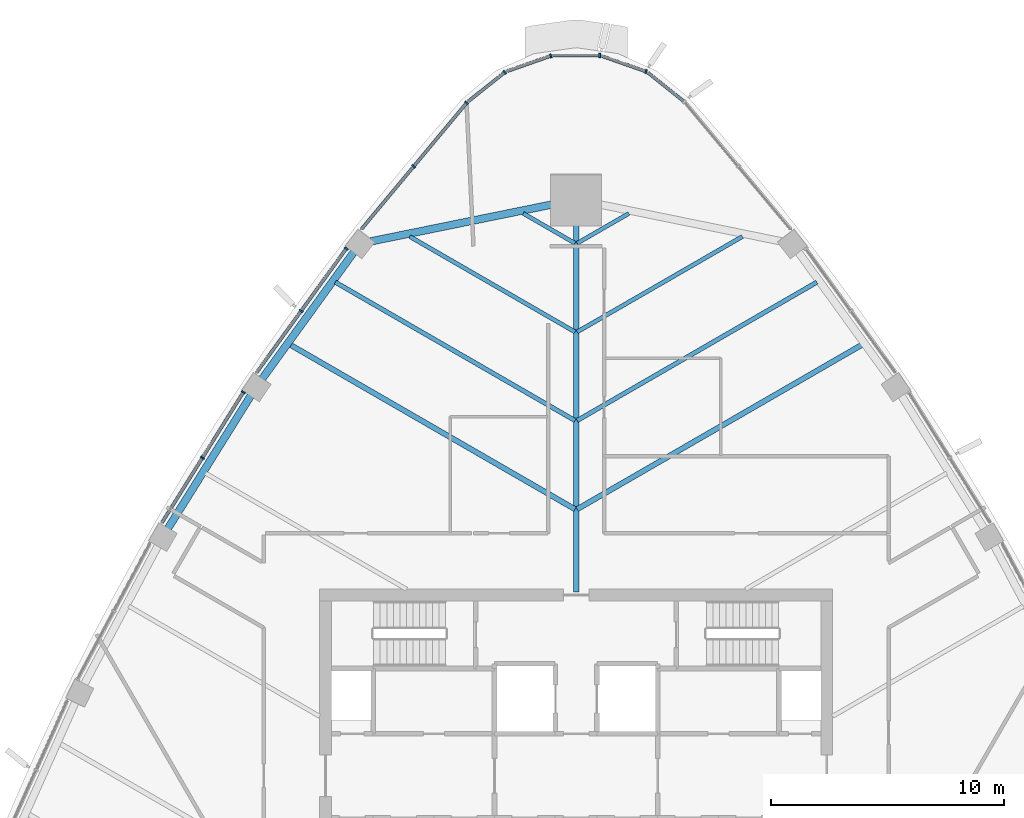
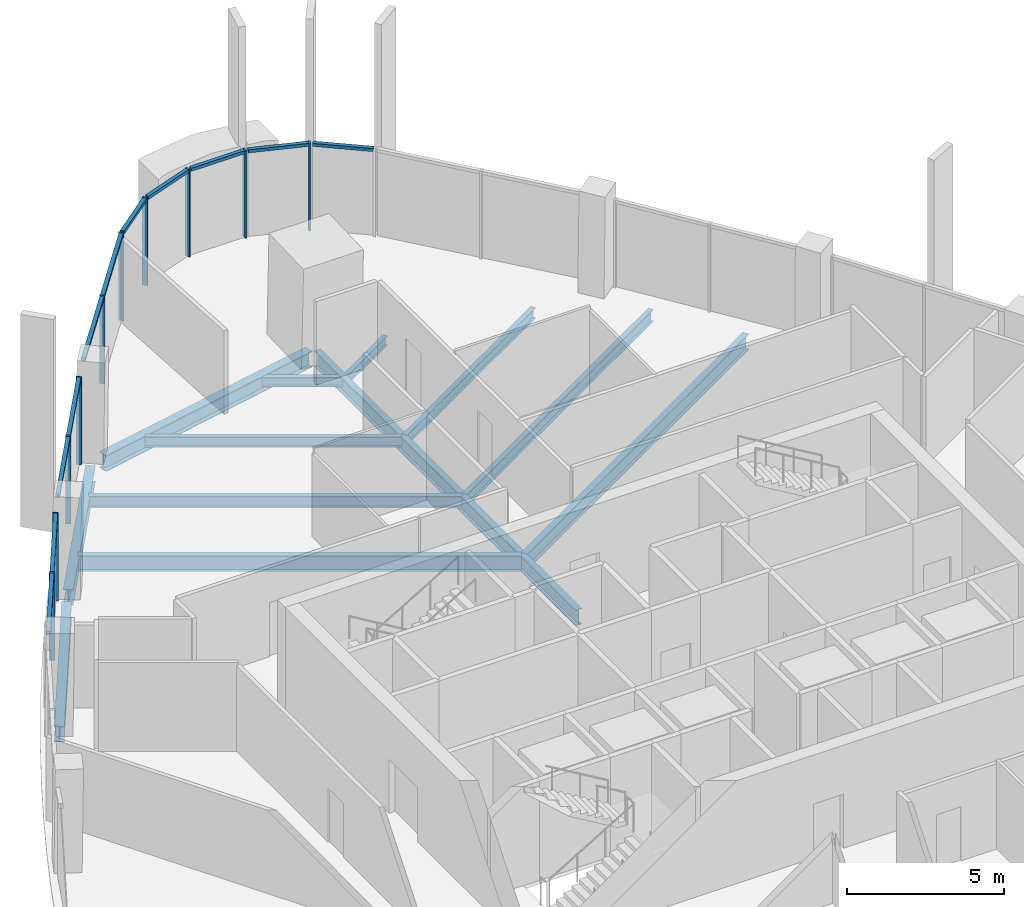
# One storey, part 5 of 18: 21 members, 12 beams, 8 elements without a shape of their own.
"""IFC4 building model written with IfcOpenShell, lengths in metres."""

import ifcopenshell
import ifcopenshell.guid

model = None  # the IFC model being written
_history = None  # IfcOwnerHistory: only IFC2X3 demands one
_inside = {}  # id of a spatial element -> (the spatial element, [elements in it])
_under = {}  # id of a project, library or spatial element -> (it, [spatial elements below it])
_declared = {}  # id of a project -> (the project, [libraries it declares])
_typed = {}  # id of a type object -> (the type object, [elements of that type])
_made_of = {}  # id of a material, layer set ... -> (it, [elements and type objects made of it])


def new_model(schema):
    """Start an empty IFC model of exactly this schema.

    Asked for "IFC4X3", IfcOpenShell would pick the latest addendum, in which some entities
    have other attributes; the version numbers below select the first issue.
    IFC2X3 requires an IfcOwnerHistory on every rooted entity: one is made here for all.
    """
    global model, _history
    if schema == "IFC4X3":
        model = ifcopenshell.file(schema_version=(4, 3, 0, 0))
    else:
        model = ifcopenshell.file(schema=schema)
    _inside.clear()
    _under.clear()
    _declared.clear()
    _typed.clear()
    _made_of.clear()
    _history = None
    if model.schema == "IFC2X3":
        org = make("IfcOrganization", Name="unknown")
        user = make(
            "IfcPersonAndOrganization",
            ThePerson=make("IfcPerson", FamilyName="unknown"),
            TheOrganization=org,
        )
        app = make(
            "IfcApplication",
            ApplicationDeveloper=org,
            Version="unknown",
            ApplicationFullName="unknown",
            ApplicationIdentifier="unknown",
        )
        _history = make(
            "IfcOwnerHistory",
            OwningUser=user,
            OwningApplication=app,
            ChangeAction="ADDED",
            CreationDate=0,
        )
    return model


def make(cls, **values):
    """One entity of the class cls with the attributes given. An attribute that is None is left unset."""
    return model.create_entity(
        cls, **{name: value for name, value in values.items() if value is not None}
    )


def rooted(cls, **values):
    """An entity with a GlobalId (a new one), such as an element, a storey or a relation."""
    return make(cls, GlobalId=ifcopenshell.guid.new(), OwnerHistory=_history, **values)


def si_unit(unit_type, name, prefix=None):
    """IfcSIUnit, for example si_unit("LENGTHUNIT", "METRE", prefix="MILLI")."""
    return make("IfcSIUnit", UnitType=unit_type, Prefix=prefix, Name=name)


def assignment(units):
    """IfcUnitAssignment: the units of a project."""
    return None if units is None else make("IfcUnitAssignment", Units=units)


def point(xyz):
    """IfcCartesianPoint."""
    return None if xyz is None else make("IfcCartesianPoint", Coordinates=xyz)


def direction(xyz):
    """IfcDirection."""
    return None if xyz is None else make("IfcDirection", DirectionRatios=xyz)


def frame(location, z_axis=None, x_axis=None):
    """IfcAxis2Placement3D, a coordinate frame: its origin and axes. An axis left out is left unset."""
    return make(
        "IfcAxis2Placement3D",
        Location=point(location),
        Axis=direction(z_axis),
        RefDirection=direction(x_axis),
    )


def frame_2d(location, x_axis=None):
    """IfcAxis2Placement2D, a coordinate frame in the plane: its origin and x axis."""
    return make(
        "IfcAxis2Placement2D", Location=point(location), RefDirection=direction(x_axis)
    )


def origin():
    """The frame at (0, 0, 0) with its axes left unset."""
    return frame((0.0, 0.0, 0.0))


def origin_2d():
    """The frame at (0, 0) in the plane with its x axis left unset."""
    return frame_2d((0.0, 0.0))


def place(relative_to, where):
    """IfcLocalPlacement: puts the frame where relative to a parent placement (None: the world)."""
    return make(
        "IfcLocalPlacement", PlacementRelTo=relative_to, RelativePlacement=where
    )


def context(
    kind, dimensions, precision=None, world=None, true_north=None, identifier=None
):
    """IfcGeometricRepresentationContext, for example the 3D "Model" context."""
    return make(
        "IfcGeometricRepresentationContext",
        ContextIdentifier=identifier,
        ContextType=kind,
        CoordinateSpaceDimension=dimensions,
        Precision=precision,
        WorldCoordinateSystem=world,
        TrueNorth=true_north,
    )


def subcontext(parent, identifier, kind, view, scale=None):
    """IfcGeometricRepresentationSubContext, for example "Body" below "Model"."""
    return make(
        "IfcGeometricRepresentationSubContext",
        ContextIdentifier=identifier,
        ContextType=kind,
        ParentContext=parent,
        TargetScale=scale,
        TargetView=view,
    )


def project(units=None, contexts=None):
    """IfcProject with its units and contexts."""
    return rooted(
        "IfcProject",
        Name="project",
        RepresentationContexts=contexts,
        UnitsInContext=assignment(units),
    )


def spatial(cls, under=None, at=None, **own):
    """A site, building, storey or space (cls), placed at a placement, below another one or the project."""
    s = rooted(cls, ObjectPlacement=at, **own)
    if under is not None:
        _under.setdefault(under.id(), (under, []))[1].append(s)
    return s


def profile(cls, at=None, kind="AREA", **sizes):
    """A parametric profile (cls). Its sizes go by their IFC names, for example OverallWidth=200.0."""
    return make(cls, ProfileType=kind, Position=at, **sizes)


def rectangle(**sizes):
    """IfcRectangleProfileDef."""
    return profile("IfcRectangleProfileDef", **sizes)


def i_section(**sizes):
    """IfcIShapeProfileDef."""
    return profile("IfcIShapeProfileDef", **sizes)


def extrude(swept, where, along, depth):
    """IfcExtrudedAreaSolid: the profile swept, set in the frame where, extruded along a direction by depth."""
    return make(
        "IfcExtrudedAreaSolid",
        SweptArea=swept,
        Position=where,
        ExtrudedDirection=direction(along),
        Depth=depth,
    )


def shape(context_of_items, identifier, shape_type, items):
    """IfcShapeRepresentation: the items that make up one representation, for example the "Body"."""
    return make(
        "IfcShapeRepresentation",
        ContextOfItems=context_of_items,
        RepresentationIdentifier=identifier,
        RepresentationType=shape_type,
        Items=items,
    )


def material(Name=None, Category=None):
    """IfcMaterial."""
    return make("IfcMaterial", Name=Name, Category=Category)


def layer(
    of_material, thickness, ventilated=None, Name=None, Category=None, Priority=None
):
    """IfcMaterialLayer: one layer of a wall or slab, of a material (None: an air gap)."""
    return make(
        "IfcMaterialLayer",
        Material=of_material,
        LayerThickness=thickness,
        IsVentilated=ventilated,
        Name=Name,
        Category=Category,
        Priority=Priority,
    )


def layer_set(layers, Name=None):
    """IfcMaterialLayerSet."""
    return make("IfcMaterialLayerSet", MaterialLayers=layers, LayerSetName=Name)


def material_profile(
    of_material, cross_section, Name=None, Category=None, Priority=None
):
    """IfcMaterialProfile: a cross section and its material."""
    return make(
        "IfcMaterialProfile",
        Name=Name,
        Material=of_material,
        Profile=cross_section,
        Priority=Priority,
        Category=Category,
    )


def profile_set(profiles, Name=None, composite=None):
    """IfcMaterialProfileSet."""
    return make(
        "IfcMaterialProfileSet",
        Name=Name,
        MaterialProfiles=profiles,
        CompositeProfile=composite,
    )


def made_of(thing, what):
    """Note that an element or type object is made of a material, layer set ...; save() writes the relation."""
    if what is not None:
        _made_of.setdefault(what.id(), (what, []))[1].append(thing)
    return thing


def type_object(cls, material=None, **own):
    """A type object (cls), such as IfcWallType, which elements share."""
    return made_of(rooted(cls, **own), material)


def element(
    cls,
    number,
    at=None,
    inside=None,
    cuts=None,
    type_object=None,
    material=None,
    context=None,
    identifier="Body",
    shape_type=None,
    held_by="IfcProductDefinitionShape",
    body=None,
    shapes=None,
    **own,
):
    """One element of the class cls, such as IfcWall. Its Tag is "e" and its number.

    at: its placement. inside: the storey or other place that contains it. cuts: it is an
    opening in that element (IfcRelVoidsElement). A single representation is given by context,
    identifier, shape_type and body (its items); several are given by shapes. held_by: the class
    of the entity that holds the representations. save() writes the other relations.
    """
    e = rooted(cls, Tag="e%d" % number, ObjectPlacement=at, **own)
    if body is not None:
        shapes = [shape(context, identifier, shape_type, body)]
    if shapes is not None:
        e.Representation = make(held_by, Representations=shapes)
    if inside is not None:
        _inside.setdefault(inside.id(), (inside, []))[1].append(e)
    if cuts is not None:
        rooted(
            "IfcRelVoidsElement", RelatingBuildingElement=cuts, RelatedOpeningElement=e
        )
    if type_object is not None:
        _typed.setdefault(type_object.id(), (type_object, []))[1].append(e)
    return made_of(e, material)


def aggregate(whole, parts):
    """IfcRelAggregates: a whole, such as a stair, and the parts it consists of."""
    return rooted("IfcRelAggregates", RelatingObject=whole, RelatedObjects=parts)


def save(model, path):
    """Write the relations noted so far, then the file.

    IfcRelAggregates (storeys below a building ...), IfcRelContainedInSpatialStructure (elements
    in a storey), IfcRelDefinesByType, IfcRelAssociatesMaterial and IfcRelDeclares: one each for
    every whole, place, type object, material and project.
    """
    for whole, parts in _under.values():
        aggregate(whole, parts)
    for where, things in _inside.values():
        rooted(
            "IfcRelContainedInSpatialStructure",
            RelatedElements=things,
            RelatingStructure=where,
        )
    for kind, things in _typed.values():
        rooted("IfcRelDefinesByType", RelatedObjects=things, RelatingType=kind)
    for what, things in _made_of.values():
        rooted("IfcRelAssociatesMaterial", RelatedObjects=things, RelatingMaterial=what)
    for by, libraries in _declared.values():
        rooted("IfcRelDeclares", RelatingContext=by, RelatedDefinitions=libraries)
    model.write(path)


model = new_model("IFC4")

# Units and contexts
model_context = context("Model", 3, precision=1e-05, world=origin(), true_north=direction((0.0, 1.0)))
body_context = subcontext(model_context, "Body", "Model", "MODEL_VIEW")
ifc_project = project(units=[si_unit("LENGTHUNIT", "METRE"), si_unit("AREAUNIT", "SQUARE_METRE"), si_unit("VOLUMEUNIT", "CUBIC_METRE"), si_unit("PLANEANGLEUNIT", "RADIAN"), si_unit("MASSUNIT", "GRAM", prefix="KILO")], contexts=[model_context])

# Site, building, storey
site_placement = place(None, origin())
site = spatial("IfcSite", under=ifc_project, at=site_placement, CompositionType="ELEMENT")
building_placement = place(site_placement, origin())
building = spatial("IfcBuilding", under=site, at=building_placement, Name="Sierra Prisma Convention Tower", CompositionType="ELEMENT")
storey_placement = place(building_placement, frame((0.0, 0.0, 263.0)))
storey = spatial("IfcBuildingStorey", under=building, at=storey_placement, Name="L59", CompositionType="ELEMENT", Elevation=263.0)

# Curtain wall, member
ifc_material_1 = material(Name="Aluminium and glass curtain wall", Category="aluminium")
ifc_layer = layer(ifc_material_1, 0.179931640625)
ifc_layer_set = layer_set([ifc_layer], Name="CW-1 Plain shaft curtain wall")
curtain_wall_type = type_object("IfcCurtainWallType", Name="CW-1 Plain shaft curtain wall", PredefinedType="NOTDEFINED", material=ifc_layer_set)
curtain_wall_1_placement = place(storey_placement, origin())
curtain_wall_1 = element("IfcCurtainWall", 1, at=curtain_wall_1_placement, inside=storey, type_object=curtain_wall_type, Name="CW-1 N2 L59", PredefinedType="NOTDEFINED")
ifc_material_2 = material(Name="Aluminium 6063-T6 bronze anodised", Category="aluminium")
ifc_material_profile_1 = material_profile(ifc_material_2, rectangle(XDim=0.179931640625, YDim=0.070068359375, at=origin_2d()), Name="ALU MULLION 70x180")
ifc_profile_set_1 = profile_set([ifc_material_profile_1], Name="Aluminium 6063-T6 bronze anodised")
member_type_1 = type_object("IfcMemberType", Name="CW mullion bronze", PredefinedType="MULLION", material=ifc_profile_set_1)
member_1_placement = place(storey_placement, frame((2.99755859375, 30.205078125, 0.0), z_axis=(0.0, 0.0, 1.0), x_axis=(-0.330332885829, -0.943864494798, 0.0)))
member_1 = element("IfcMember", 2, at=member_1_placement, type_object=member_type_1, Name="CW-1 mullion N2.1", PredefinedType="MULLION", context=body_context, shape_type="SweptSolid", body=[
    extrude(rectangle(XDim=0.179931640625, YDim=0.070068359375, at=origin_2d()), origin(), (0.0, 0.0, 1.0), 3.39990234375),
])

curtain_wall_2_placement = place(storey_placement, origin())
curtain_wall_2 = element("IfcCurtainWall", 3, at=curtain_wall_2_placement, inside=storey, type_object=curtain_wall_type, Name="CW-1 N3 L59", PredefinedType="NOTDEFINED")
member_2_placement = place(storey_placement, frame((1.014404296875, 30.886962890625, 0.0), z_axis=(0.0, 0.0, 1.0), x_axis=(0.0, -1.0, 0.0)))
member_2 = element("IfcMember", 4, at=member_2_placement, type_object=member_type_1, Name="CW-1 mullion N3.1", PredefinedType="MULLION", context=body_context, shape_type="SweptSolid", body=[
    extrude(rectangle(XDim=0.179931640625, YDim=0.070068359375, at=origin_2d()), origin(), (0.0, 0.0, 1.0), 3.39990234375),
])

curtain_wall_3_placement = place(storey_placement, origin())
curtain_wall_3 = element("IfcCurtainWall", 5, at=curtain_wall_3_placement, inside=storey, type_object=curtain_wall_type, Name="CW-1 N4 L59", PredefinedType="NOTDEFINED")
member_3_placement = place(storey_placement, frame((-1.08251953125, 30.875244140625, 0.0), z_axis=(0.0, 0.0, 1.0), x_axis=(0.330332885829, -0.943864494798, 0.0)))
member_3 = element("IfcMember", 6, at=member_3_placement, type_object=member_type_1, Name="CW-1 mullion N4.1", PredefinedType="MULLION", context=body_context, shape_type="SweptSolid", body=[
    extrude(rectangle(XDim=0.179931640625, YDim=0.070068359375, at=origin_2d()), origin(), (0.0, 0.0, 1.0), 3.39990234375),
])

curtain_wall_4_placement = place(storey_placement, origin())
curtain_wall_4 = element("IfcCurtainWall", 7, at=curtain_wall_4_placement, inside=storey, type_object=curtain_wall_type, Name="CW-1 N5 L59", PredefinedType="NOTDEFINED")
member_4_placement = place(storey_placement, frame((-3.05810546875, 30.171630859375, 0.0), z_axis=(0.0, 0.0, 1.0), x_axis=(0.623578964782, -0.781760369091, 0.0)))
member_4 = element("IfcMember", 8, at=member_4_placement, type_object=member_type_1, Name="CW-1 mullion N5.1", PredefinedType="MULLION", context=body_context, shape_type="SweptSolid", body=[
    extrude(rectangle(XDim=0.179931640625, YDim=0.070068359375, at=origin_2d()), origin(), (0.0, 0.0, 1.0), 3.39990234375),
])

# Curtain wall, members
curtain_wall_5_placement = place(storey_placement, origin())
curtain_wall_5 = element("IfcCurtainWall", 9, at=curtain_wall_5_placement, inside=storey, type_object=curtain_wall_type, Name="CW-1 NW1 L59", PredefinedType="NOTDEFINED")
member_5_placement = place(storey_placement, frame((-4.69384765625, 28.857666015625, 0.0), z_axis=(0.0, 0.0, 1.0), x_axis=(0.76812014371, -0.640305743241, 0.0)))
member_5 = element("IfcMember", 10, at=member_5_placement, type_object=member_type_1, Name="CW-1 mullion NW1.1", PredefinedType="MULLION", context=body_context, shape_type="SweptSolid", body=[
    extrude(rectangle(XDim=0.179931640625, YDim=0.070068359375, at=origin_2d()), origin(), (0.0, 0.0, 1.0), 3.39990234375),
])
member_6_placement = place(storey_placement, frame((-6.96435546875, 26.134033203125, 0.0), z_axis=(0.0, 0.0, 1.0), x_axis=(0.76812014371, -0.640305743241, 0.0)))
member_6 = element("IfcMember", 11, at=member_6_placement, type_object=member_type_1, Name="CW-1 mullion NW1.2", PredefinedType="MULLION", context=body_context, shape_type="SweptSolid", body=[
    extrude(rectangle(XDim=0.179931640625, YDim=0.070068359375, at=origin_2d()), origin(), (0.0, 0.0, 1.0), 3.39990234375),
])

curtain_wall_6_placement = place(storey_placement, origin())
curtain_wall_6 = element("IfcCurtainWall", 12, at=curtain_wall_6_placement, inside=storey, type_object=curtain_wall_type, Name="CW-1 NW2 L59", PredefinedType="NOTDEFINED")
member_7_placement = place(storey_placement, frame((-9.85546875, 22.609375, 0.0), z_axis=(0.0, 0.0, 1.0), x_axis=(0.810156522746, -0.586213620323, 0.0)))
member_7 = element("IfcMember", 13, at=member_7_placement, type_object=member_type_1, Name="CW-1 mullion NW2.1", PredefinedType="MULLION", context=body_context, shape_type="SweptSolid", body=[
    extrude(rectangle(XDim=0.179931640625, YDim=0.070068359375, at=origin_2d()), origin(), (0.0, 0.0, 1.0), 3.39990234375),
])
member_8_placement = place(storey_placement, frame((-11.789306640625, 19.936767578125, 0.0), z_axis=(0.0, 0.0, 1.0), x_axis=(0.810156522746, -0.586213620323, 0.0)))
member_8 = element("IfcMember", 14, at=member_8_placement, type_object=member_type_1, Name="CW-1 mullion NW2.2", PredefinedType="MULLION", context=body_context, shape_type="SweptSolid", body=[
    extrude(rectangle(XDim=0.179931640625, YDim=0.070068359375, at=origin_2d()), origin(), (0.0, 0.0, 1.0), 3.39990234375),
])

curtain_wall_7_placement = place(storey_placement, origin())
curtain_wall_7 = element("IfcCurtainWall", 15, at=curtain_wall_7_placement, inside=storey, type_object=curtain_wall_type, Name="CW-1 NW3 L59", PredefinedType="NOTDEFINED")
member_9_placement = place(storey_placement, frame((-14.2705078125, 16.449462890625, 0.0), z_axis=(0.0, 0.0, 1.0), x_axis=(0.84839082513, -0.529370388136, 0.0)))
member_9 = element("IfcMember", 16, at=member_9_placement, type_object=member_type_1, Name="CW-1 mullion NW3.1", PredefinedType="MULLION", context=body_context, shape_type="SweptSolid", body=[
    extrude(rectangle(XDim=0.179931640625, YDim=0.070068359375, at=origin_2d()), origin(), (0.0, 0.0, 1.0), 3.39990234375),
])
member_10_placement = place(storey_placement, frame((-16.025390625, 13.63720703125, 0.0), z_axis=(0.0, 0.0, 1.0), x_axis=(0.84839082513, -0.529370388136, 0.0)))
member_10 = element("IfcMember", 17, at=member_10_placement, type_object=member_type_1, Name="CW-1 mullion NW3.2", PredefinedType="MULLION", context=body_context, shape_type="SweptSolid", body=[
    extrude(rectangle(XDim=0.179931640625, YDim=0.070068359375, at=origin_2d()), origin(), (0.0, 0.0, 1.0), 3.39990234375),
])

# Curtain wall, member
curtain_wall_8_placement = place(storey_placement, origin())
curtain_wall_8 = element("IfcCurtainWall", 18, at=curtain_wall_8_placement, inside=storey, type_object=curtain_wall_type, Name="CW-1 N1 L59", PredefinedType="NOTDEFINED")
ifc_material_3 = material(Name="Aluminium 6063-T6 bronze anodised", Category="aluminium")
ifc_material_profile_2 = material_profile(ifc_material_3, rectangle(XDim=0.139892578125, YDim=0.1201171875, at=origin_2d()), Name="ALU TRANSOM 120x140")
ifc_profile_set_2 = profile_set([ifc_material_profile_2], Name="Aluminium 6063-T6 bronze anodised")
member_type_2 = type_object("IfcMemberType", Name="CW transom bronze", PredefinedType="USERDEFINED", material=ifc_profile_set_2)
member_11_placement = place(storey_placement, frame((4.61669921875, 28.92822265625, 3.340087890625), z_axis=(-0.781694955616, 0.623660962675, 0.0), x_axis=(-0.623660962675, -0.781694955616, 0.0)))
member_11 = element("IfcMember", 19, at=member_11_placement, type_object=member_type_2, Name="CW-1 transom N1.1", ObjectType="TRANSOM", PredefinedType="USERDEFINED", context=body_context, shape_type="SweptSolid", body=[
    extrude(rectangle(XDim=0.139892578125, YDim=0.1201171875, at=origin_2d()), origin(), (0.0, 0.0, 1.0), 1.958984375),
])
aggregate(curtain_wall_8, [member_11])

# Member
member_12_placement = place(storey_placement, frame((2.964599609375, 30.216552734375, 3.340087890625), z_axis=(-0.943854470671, 0.330361526505, 0.0), x_axis=(-0.330361526505, -0.943854470671, 0.0)))
member_12 = element("IfcMember", 20, at=member_12_placement, type_object=member_type_2, Name="CW-1 transom N2.1", ObjectType="TRANSOM", PredefinedType="USERDEFINED", context=body_context, shape_type="SweptSolid", body=[
    extrude(rectangle(XDim=0.139892578125, YDim=0.1201171875, at=origin_2d()), origin(), (0.0, 0.0, 1.0), 1.959228515625),
])

aggregate(curtain_wall_1, [member_1, member_12])

member_13_placement = place(storey_placement, frame((0.9794921875, 30.886962890625, 3.340087890625), z_axis=(-1.0, 0.0, 0.0), x_axis=(0.0, -1.0, 0.0)))
member_13 = element("IfcMember", 21, at=member_13_placement, type_object=member_type_2, Name="CW-1 transom N3.1", ObjectType="TRANSOM", PredefinedType="USERDEFINED", context=body_context, shape_type="SweptSolid", body=[
    extrude(rectangle(XDim=0.139892578125, YDim=0.1201171875, at=origin_2d()), origin(), (0.0, 0.0, 1.0), 1.958984375),
])

aggregate(curtain_wall_2, [member_2, member_13])

member_14_placement = place(storey_placement, frame((-1.115478515625, 30.86376953125, 3.340087890625), z_axis=(-0.943854470671, -0.330361526505, 0.0), x_axis=(0.330361526505, -0.943854470671, 0.0)))
member_14 = element("IfcMember", 22, at=member_14_placement, type_object=member_type_2, Name="CW-1 transom N4.1", ObjectType="TRANSOM", PredefinedType="USERDEFINED", context=body_context, shape_type="SweptSolid", body=[
    extrude(rectangle(XDim=0.139892578125, YDim=0.1201171875, at=origin_2d()), origin(), (0.0, 0.0, 1.0), 1.959228515625),
])

aggregate(curtain_wall_3, [member_3, member_14])

member_15_placement = place(storey_placement, frame((-3.08544921875, 30.14990234375, 3.340087890625), z_axis=(-0.781694955616, -0.623660962675, 0.0), x_axis=(0.623660962675, -0.781694955616, 0.0)))
member_15 = element("IfcMember", 23, at=member_15_placement, type_object=member_type_2, Name="CW-1 transom N5.1", ObjectType="TRANSOM", PredefinedType="USERDEFINED", context=body_context, shape_type="SweptSolid", body=[
    extrude(rectangle(XDim=0.139892578125, YDim=0.1201171875, at=origin_2d()), origin(), (0.0, 0.0, 1.0), 1.958984375),
])

aggregate(curtain_wall_4, [member_4, member_15])

member_16_placement = place(storey_placement, frame((-4.71630859375, 28.830810546875, 3.340087890625), z_axis=(-0.640329479051, -0.768100356892, 0.0), x_axis=(0.768100356892, -0.640329479051, 0.0)))
member_16 = element("IfcMember", 24, at=member_16_placement, type_object=member_type_2, Name="CW-1 transom NW1.1", ObjectType="TRANSOM", PredefinedType="USERDEFINED", context=body_context, shape_type="SweptSolid", body=[
    extrude(rectangle(XDim=0.139892578125, YDim=0.1201171875, at=origin_2d()), origin(), (0.0, 0.0, 1.0), 3.4755859375),
])

member_17_placement = place(storey_placement, frame((-6.98681640625, 26.107177734375, 3.340087890625), z_axis=(-0.640294932448, -0.768129155469, 0.0), x_axis=(0.768129155469, -0.640294932448, 0.0)))
member_17 = element("IfcMember", 25, at=member_17_placement, type_object=member_type_2, Name="CW-1 transom NW1.2", ObjectType="TRANSOM", PredefinedType="USERDEFINED", context=body_context, shape_type="SweptSolid", body=[
    extrude(rectangle(XDim=0.139892578125, YDim=0.1201171875, at=origin_2d()), origin(), (0.0, 0.0, 1.0), 3.475830078125),
])

aggregate(curtain_wall_5, [member_5, member_6, member_16, member_17])

member_18_placement = place(storey_placement, frame((-9.8759765625, 22.5810546875, 3.340087890625), z_axis=(-0.586205324944, -0.810162525058, 0.0), x_axis=(0.810162525058, -0.586205324944, 0.0)))
member_18 = element("IfcMember", 26, at=member_18_placement, type_object=member_type_2, Name="CW-1 transom NW2.1", ObjectType="TRANSOM", PredefinedType="USERDEFINED", context=body_context, shape_type="SweptSolid", body=[
    extrude(rectangle(XDim=0.139892578125, YDim=0.1201171875, at=origin_2d()), origin(), (0.0, 0.0, 1.0), 3.22900390625),
])

member_19_placement = place(storey_placement, frame((-11.809814453125, 19.908447265625, 3.340087890625), z_axis=(-0.586205324944, -0.810162525058, 0.0), x_axis=(0.810162525058, -0.586205324944, 0.0)))
member_19 = element("IfcMember", 27, at=member_19_placement, type_object=member_type_2, Name="CW-1 transom NW2.2", ObjectType="TRANSOM", PredefinedType="USERDEFINED", context=body_context, shape_type="SweptSolid", body=[
    extrude(rectangle(XDim=0.139892578125, YDim=0.1201171875, at=origin_2d()), origin(), (0.0, 0.0, 1.0), 3.22900390625),
])

aggregate(curtain_wall_6, [member_7, member_8, member_18, member_19])

member_20_placement = place(storey_placement, frame((-14.2890625, 16.419677734375, 3.340087890625), z_axis=(-0.529410394523, -0.848365861036, 0.0), x_axis=(0.848365861036, -0.529410394523, 0.0)))
member_20 = element("IfcMember", 28, at=member_20_placement, type_object=member_type_2, Name="CW-1 transom NW3.1", ObjectType="TRANSOM", PredefinedType="USERDEFINED", context=body_context, shape_type="SweptSolid", body=[
    extrude(rectangle(XDim=0.139892578125, YDim=0.1201171875, at=origin_2d()), origin(), (0.0, 0.0, 1.0), 3.24462890625),
])

member_21_placement = place(storey_placement, frame((-16.0439453125, 13.607666015625, 3.340087890625), z_axis=(-0.529322445274, -0.848420738154, 0.0), x_axis=(0.848420738154, -0.529322445274, 0.0)))
member_21 = element("IfcMember", 29, at=member_21_placement, type_object=member_type_2, Name="CW-1 transom NW3.2", ObjectType="TRANSOM", PredefinedType="USERDEFINED", context=body_context, shape_type="SweptSolid", body=[
    extrude(rectangle(XDim=0.139892578125, YDim=0.1201171875, at=origin_2d()), origin(), (0.0, 0.0, 1.0), 3.244873046875),
])

aggregate(curtain_wall_7, [member_9, member_10, member_20, member_21])

# Beams
ifc_material_4 = material(Name="Steel ASTM A992 Gr 50", Category="steel")
ifc_material_profile_3 = material_profile(ifc_material_4, i_section(OverallWidth=0.172119140625, OverallDepth=0.35791015625, WebThickness=0.0078125, FlangeThickness=0.01318359375, at=origin_2d()), Name="W360x57")
ifc_profile_set_3 = profile_set([ifc_material_profile_3], Name="Steel ASTM A992 Gr 50")
beam_type_1 = type_object("IfcBeamType", Name="Floor joist W360x57", PredefinedType="JOIST", material=ifc_profile_set_3)
for number, where, z_axis, x_axis, name in (
    (30, (2.2646484375, 24.117919921875, -0.3291015625), (-0.866023722158, -0.50000291265, 0.0), (0.50000291265, -0.866023722158, 0.0), "Floor joist L59 NE13"),
    (31, (-2.2646484375, 24.117919921875, -0.3291015625), (0.866023722158, -0.50000291265, 0.0), (0.50000291265, 0.866023722158, 0.0), "Floor joist L59 NW01"),
):
    element("IfcBeam", number, at=place(storey_placement, frame(where, z_axis=z_axis, x_axis=x_axis)), inside=storey, type_object=beam_type_1, Name=name, PredefinedType="JOIST", context=body_context, shape_type="SweptSolid", body=[
        extrude(i_section(OverallWidth=0.172119140625, OverallDepth=0.35791015625, WebThickness=0.0078125, FlangeThickness=0.01318359375, at=origin_2d()), origin(), (0.0, 0.0, 1.0), 2.56201171875),
    ])
ifc_material_5 = material(Name="Steel ASTM A992 Gr 50", Category="steel")
ifc_material_profile_4 = material_profile(ifc_material_5, i_section(OverallWidth=0.177978515625, OverallDepth=0.406982421875, WebThickness=0.0078125, FlangeThickness=0.0126953125, at=origin_2d()), Name="W410x60")
ifc_profile_set_4 = profile_set([ifc_material_profile_4], Name="Steel ASTM A992 Gr 50")
beam_type_2 = type_object("IfcBeamType", Name="Floor joist W410x60", PredefinedType="JOIST", material=ifc_profile_set_4)
for number, where, z_axis, x_axis, name in (
    (32, (7.13232421875, 23.12646484375, -0.353515625), (-0.866027586051, -0.499996220184, 0.0), (0.499996220184, -0.866027586051, 0.0), "Floor joist L59 NE12"),
    (33, (-7.13232421875, 23.12646484375, -0.353515625), (0.866027586051, -0.499996220184, 0.0), (0.499996220184, 0.866027586051, 0.0), "Floor joist L59 NW02"),
):
    element("IfcBeam", number, at=place(storey_placement, frame(where, z_axis=z_axis, x_axis=x_axis)), inside=storey, type_object=beam_type_2, Name=name, PredefinedType="JOIST", context=body_context, shape_type="SweptSolid", body=[
        extrude(i_section(OverallWidth=0.177978515625, OverallDepth=0.406982421875, WebThickness=0.0078125, FlangeThickness=0.0126953125, at=origin_2d()), origin(), (0.0, 0.0, 1.0), 8.1826171875),
    ])
ifc_material_6 = material(Name="Steel ASTM A992 Gr 50", Category="steel")
ifc_material_profile_5 = material_profile(ifc_material_6, i_section(OverallWidth=0.18994140625, OverallDepth=0.45703125, WebThickness=0.009033203125, FlangeThickness=0.014404296875, at=origin_2d()), Name="W460x74")
ifc_profile_set_5 = profile_set([ifc_material_profile_5], Name="Steel ASTM A992 Gr 50")
beam_type_3 = type_object("IfcBeamType", Name="Floor joist W460x74", PredefinedType="JOIST", material=ifc_profile_set_5)
for number, where, z_axis, x_axis, name in (
    (34, (10.32666015625, 21.1689453125, -0.37841796875), (-0.866027361473, -0.499996609169, 0.0), (0.499996609169, -0.866027361473, 0.0), "Floor joist L59 NE11"),
    (35, (-10.32666015625, 21.1689453125, -0.37841796875), (0.866027361473, -0.499996609169, 0.0), (0.499996609169, 0.866027361473, 0.0), "Floor joist L59 NW03"),
):
    element("IfcBeam", number, at=place(storey_placement, frame(where, z_axis=z_axis, x_axis=x_axis)), inside=storey, type_object=beam_type_3, Name=name, PredefinedType="JOIST", context=body_context, shape_type="SweptSolid", body=[
        extrude(i_section(OverallWidth=0.18994140625, OverallDepth=0.45703125, WebThickness=0.009033203125, FlangeThickness=0.014404296875, at=origin_2d()), origin(), (0.0, 0.0, 1.0), 11.87109375),
    ])
ifc_material_7 = material(Name="Steel ASTM A992 Gr 50", Category="steel")
ifc_material_profile_6 = material_profile(ifc_material_7, i_section(OverallWidth=0.22802734375, OverallDepth=0.60302734375, WebThickness=0.010498046875, FlangeThickness=0.014892578125, at=origin_2d()), Name="W610x101")
ifc_profile_set_6 = profile_set([ifc_material_profile_6], Name="Steel ASTM A992 Gr 50")
beam_type_4 = type_object("IfcBeamType", Name="Floor joist W610x101", PredefinedType="JOIST", material=ifc_profile_set_6)
for number, where, z_axis, x_axis, name in (
    (36, (12.26708984375, 18.487548828125, -0.451416015625), (-0.8660254021, -0.500000002918, 0.0), (0.500000002918, -0.8660254021, 0.0), "Floor joist L59 NE10"),
    (37, (-12.26708984375, 18.487548828125, -0.451416015625), (0.8660254021, -0.500000002918, 0.0), (0.500000002918, 0.8660254021, 0.0), "Floor joist L59 NW04"),
):
    element("IfcBeam", number, at=place(storey_placement, frame(where, z_axis=z_axis, x_axis=x_axis)), inside=storey, type_object=beam_type_4, Name=name, PredefinedType="JOIST", context=body_context, shape_type="SweptSolid", body=[
        extrude(i_section(OverallWidth=0.22802734375, OverallDepth=0.60302734375, WebThickness=0.010498046875, FlangeThickness=0.014892578125, at=origin_2d()), origin(), (0.0, 0.0, 1.0), 14.11181640625),
    ])
ifc_material_8 = material(Name="Steel ASTM A992 Gr 50", Category="steel")
ifc_material_profile_7 = material_profile(ifc_material_8, i_section(OverallWidth=0.22998046875, OverallDepth=0.616943359375, WebThickness=0.01318359375, FlangeThickness=0.022216796875, at=origin_2d()), Name="W610x140")
ifc_profile_set_7 = profile_set([ifc_material_profile_7], Name="Steel ASTM A992 Gr 50")
beam_type_5 = type_object("IfcBeamType", Name="Radial girder W610x140", PredefinedType="BEAM", material=ifc_profile_set_7)
beam_1_placement = place(storey_placement, frame((0.0, 24.4912109375, -0.45849609375), z_axis=(0.0, -1.0, 0.0), x_axis=(1.0, 0.0, 0.0)))
element("IfcBeam", 38, at=beam_1_placement, inside=storey, type_object=beam_type_5, Name="Radial girder L59 N", PredefinedType="BEAM", context=body_context, shape_type="SweptSolid", body=[
    extrude(i_section(OverallWidth=0.22998046875, OverallDepth=0.616943359375, WebThickness=0.01318359375, FlangeThickness=0.022216796875, at=origin_2d()), origin(), (0.0, 0.0, 1.0), 16.611328125),
])
ifc_material_9 = material(Name="Steel ASTM A992 Gr 50", Category="steel")
ifc_material_profile_8 = material_profile(ifc_material_9, i_section(OverallWidth=0.324951171875, OverallDepth=0.615966796875, WebThickness=0.013916015625, FlangeThickness=0.021484375, at=origin_2d()), Name="W610x174")
ifc_profile_set_8 = profile_set([ifc_material_profile_8], Name="Steel ASTM A992 Gr 50")
beam_type_6 = type_object("IfcBeamType", Name="Spandrel beam W610x174", PredefinedType="BEAM", material=ifc_profile_set_8)
beam_2_placement = place(storey_placement, frame((-0.219970703125, 24.666259765625, -0.4580078125), z_axis=(-0.979878970828, -0.199592591368, 0.0), x_axis=(0.199592591368, -0.979878970828, 0.0)))
element("IfcBeam", 39, at=beam_2_placement, inside=storey, type_object=beam_type_6, Name="Spandrel L59-13", PredefinedType="BEAM", context=body_context, shape_type="SweptSolid", body=[
    extrude(i_section(OverallWidth=0.324951171875, OverallDepth=0.615966796875, WebThickness=0.013916015625, FlangeThickness=0.021484375, at=origin_2d()), origin(), (0.0, 0.0, 1.0), 8.76171875),
])
for number, where, z_axis, x_axis, name in (
    (40, (-9.462646484375, 22.5556640625, -0.4580078125), (-0.586198051697, -0.810167787675, 0.0), (0.810167787675, -0.586198051697, 0.0), "Spandrel L59-14"),
    (41, (-13.891845703125, 16.395751953125, -0.4580078125), (-0.52936519169, -0.848394067534, 0.0), (0.848394067534, -0.52936519169, 0.0), "Spandrel L59-15"),
):
    element("IfcBeam", number, at=place(storey_placement, frame(where, z_axis=z_axis, x_axis=x_axis)), inside=storey, type_object=beam_type_6, Name=name, PredefinedType="BEAM", context=body_context, shape_type="SweptSolid", body=[
        extrude(i_section(OverallWidth=0.324951171875, OverallDepth=0.615966796875, WebThickness=0.013916015625, FlangeThickness=0.021484375, at=origin_2d()), origin(), (0.0, 0.0, 1.0), 6.92724609375),
    ])

save(model, "model.ifc")
